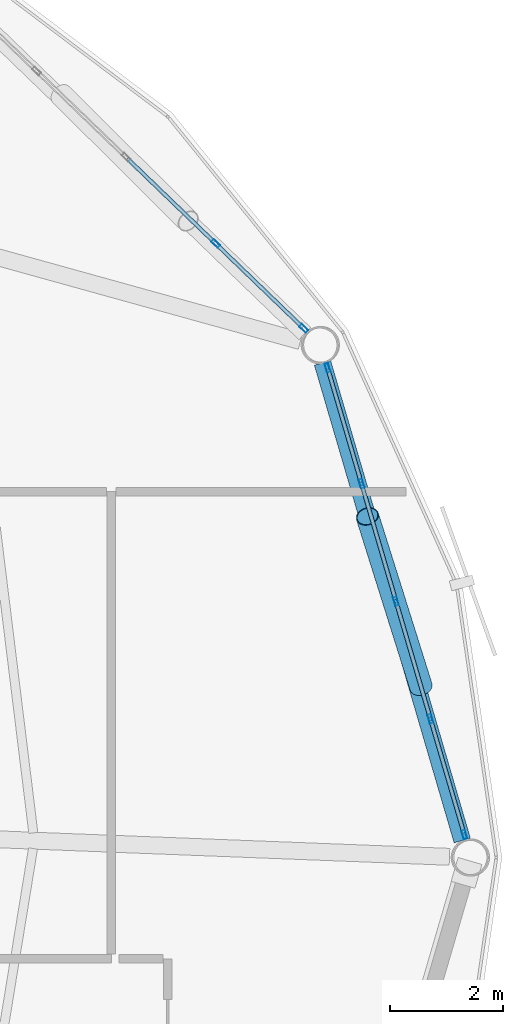
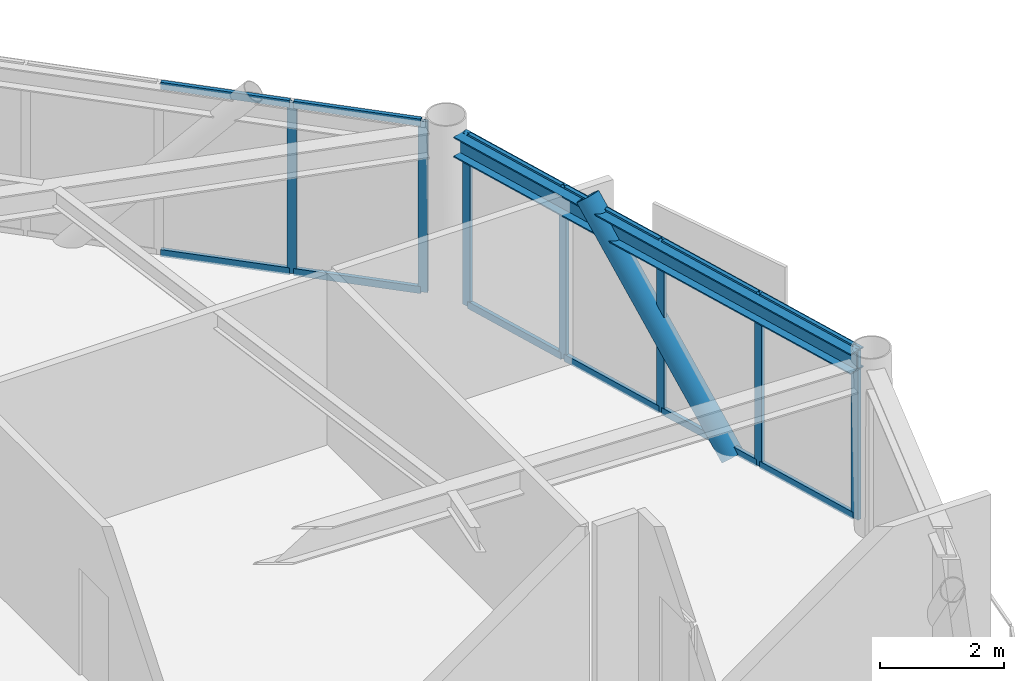
# One storey, part 15 of 26: 20 members, 1 beam, 2 elements without a shape of their own.
"""IFC4 building model written with IfcOpenShell, lengths in metres."""

from ifc_helpers import new_model, si_unit, direction, frame, origin, origin_2d, place, context, subcontext, project, spatial, hollow_rectangle, hollow_circle, i_section, extrude, material, layer, layer_set, material_profile, profile_set, type_object, element, aggregate, save


model = new_model("IFC4")

# Units and contexts
model_context = context("Model", 3, precision=1e-05, world=origin(), true_north=direction((0.0, 1.0)))
body_context = subcontext(model_context, "Body", "Model", "MODEL_VIEW")
ifc_project = project(units=[si_unit("LENGTHUNIT", "METRE"), si_unit("AREAUNIT", "SQUARE_METRE"), si_unit("VOLUMEUNIT", "CUBIC_METRE"), si_unit("PLANEANGLEUNIT", "RADIAN"), si_unit("MASSUNIT", "GRAM", prefix="KILO")], contexts=[model_context])

# Site, building, storey
site_placement = place(None, origin())
site = spatial("IfcSite", under=ifc_project, at=site_placement, CompositionType="ELEMENT")
building_placement = place(site_placement, origin())
building = spatial("IfcBuilding", under=site, at=building_placement, Name="Varnakorn Sky Granary", CompositionType="ELEMENT")
storey_placement = place(building_placement, frame((0.0, 0.0, 218.39990234375)))
storey = spatial("IfcBuildingStorey", under=building, at=storey_placement, Name="L55", CompositionType="ELEMENT", Elevation=218.39990234375)

# Beam
ifc_material_1 = material(Name="Steel S355JR", Category="steel")
ifc_material_profile_1 = material_profile(ifc_material_1, i_section(OverallWidth=0.300048828125, OverallDepth=0.39990234375, WebThickness=0.013427734375, FlangeThickness=0.02392578125, at=origin_2d()), Name="HE 400 B")
ifc_profile_set_1 = profile_set([ifc_material_profile_1], Name="Steel S355JR")
beam_type = type_object("IfcBeamType", Name="BM-SPD-Z4", PredefinedType="SPANDREL", material=ifc_profile_set_1)
beam_placement = place(storey_placement, frame((23.730712890625, 0.30224609375, 3.16015625), z_axis=(-0.280782706449, 0.959771364315, 0.0), x_axis=(-0.959771364315, -0.280782706449, 0.0)))
element("IfcBeam", 1, at=beam_placement, inside=storey, type_object=beam_type, Name="Perimeter Spandrel Ring Beam RB01 L55", PredefinedType="SPANDREL", context=body_context, shape_type="SweptSolid", body=[
    extrude(i_section(OverallWidth=0.300048828125, OverallDepth=0.39990234375, WebThickness=0.013427734375, FlangeThickness=0.02392578125, at=origin_2d()), origin(), (0.0, 0.0, 1.0), 8.83837890625),
])

# Curtain wall, members
ifc_material_2 = material(Name="Anodised Bronze Aluminium Alloy 6063-T6", Category="aluminium")
ifc_layer = layer(ifc_material_2, 0.169921875, Name="Anodised Bronze Aluminium Alloy 6063-T6")
ifc_layer_set = layer_set([ifc_layer], Name="Anodised Bronze Aluminium Alloy 6063-T6")
curtain_wall_type = type_object("IfcCurtainWallType", Name="CW-LAB-1", PredefinedType="USERDEFINED", material=ifc_layer_set)
curtain_wall_1_placement = place(storey_placement, origin())
curtain_wall_1 = element("IfcCurtainWall", 2, at=curtain_wall_1_placement, inside=storey, type_object=curtain_wall_type, Name="Unitised Curtain Wall CW5 CW-L55-B01", ObjectType="CURTAIN WALL", PredefinedType="USERDEFINED")
ifc_material_profile_2 = material_profile(ifc_material_2, hollow_rectangle(XDim=0.06494140625, YDim=0.159912109375, WallThickness=0.00341796875, at=origin_2d()), Name="ALU MULL 65x160")
ifc_profile_set_2 = profile_set([ifc_material_profile_2], Name="Anodised Bronze Aluminium Alloy 6063-T6")
member_type_1 = type_object("IfcMemberType", Name="CW-LAB-1-MULL", PredefinedType="MULLION", material=ifc_profile_set_2)
member_1_placement = place(storey_placement, frame((21.33837890625, 8.698974609375, 0.0), z_axis=(0.0, 0.0, 1.0), x_axis=(0.959663971781, 0.281149535416, 0.0)))
member_1 = element("IfcMember", 3, at=member_1_placement, type_object=member_type_1, Name="CW5 mullion 1", PredefinedType="MULLION", context=body_context, shape_type="SweptSolid", body=[
    extrude(hollow_rectangle(XDim=0.06494140625, YDim=0.159912109375, WallThickness=0.00341796875, at=origin_2d()), origin(), (0.0, 0.0, 1.0), 3.360107421875),
])
member_2_placement = place(storey_placement, frame((21.94140625, 6.64111328125, 0.0), z_axis=(0.0, 0.0, 1.0), x_axis=(0.959663971781, 0.281149535416, 0.0)))
member_2 = element("IfcMember", 4, at=member_2_placement, type_object=member_type_1, Name="CW5 mullion 2", PredefinedType="MULLION", context=body_context, shape_type="SweptSolid", body=[
    extrude(hollow_rectangle(XDim=0.06494140625, YDim=0.159912109375, WallThickness=0.00341796875, at=origin_2d()), origin(), (0.0, 0.0, 1.0), 3.360107421875),
])
member_3_placement = place(storey_placement, frame((22.55322265625, 4.55224609375, 0.0), z_axis=(0.0, 0.0, 1.0), x_axis=(0.959663971781, 0.281149535416, 0.0)))
member_3 = element("IfcMember", 5, at=member_3_placement, type_object=member_type_1, Name="CW5 mullion 3", PredefinedType="MULLION", context=body_context, shape_type="SweptSolid", body=[
    extrude(hollow_rectangle(XDim=0.06494140625, YDim=0.159912109375, WallThickness=0.00341796875, at=origin_2d()), origin(), (0.0, 0.0, 1.0), 3.360107421875),
])
member_4_placement = place(storey_placement, frame((23.165283203125, 2.46337890625, 0.0), z_axis=(0.0, 0.0, 1.0), x_axis=(0.959663971781, 0.281149535416, 0.0)))
member_4 = element("IfcMember", 6, at=member_4_placement, type_object=member_type_1, Name="CW5 mullion 4", PredefinedType="MULLION", context=body_context, shape_type="SweptSolid", body=[
    extrude(hollow_rectangle(XDim=0.06494140625, YDim=0.159912109375, WallThickness=0.00341796875, at=origin_2d()), origin(), (0.0, 0.0, 1.0), 3.360107421875),
])
member_5_placement = place(storey_placement, frame((23.76806640625, 0.405517578125, 0.0), z_axis=(0.0, 0.0, 1.0), x_axis=(0.959663971781, 0.281149535416, 0.0)))
member_5 = element("IfcMember", 7, at=member_5_placement, type_object=member_type_1, Name="CW5 mullion 5", PredefinedType="MULLION", context=body_context, shape_type="SweptSolid", body=[
    extrude(hollow_rectangle(XDim=0.06494140625, YDim=0.159912109375, WallThickness=0.00341796875, at=origin_2d()), origin(), (0.0, 0.0, 1.0), 3.360107421875),
])

curtain_wall_2_placement = place(storey_placement, origin())
curtain_wall_2 = element("IfcCurtainWall", 8, at=curtain_wall_2_placement, inside=storey, type_object=curtain_wall_type, Name="Unitised Curtain Wall CW5 CW-L55-B02", ObjectType="CURTAIN WALL", PredefinedType="USERDEFINED")
member_6_placement = place(storey_placement, frame((19.349609375, 10.906005859375, 0.0), z_axis=(0.0, 0.0, 1.0), x_axis=(0.693784930795, 0.72018224763, 0.0)))
member_6 = element("IfcMember", 9, at=member_6_placement, type_object=member_type_1, Name="CW5 mullion 4", PredefinedType="MULLION", context=body_context, shape_type="SweptSolid", body=[
    extrude(hollow_rectangle(XDim=0.06494140625, YDim=0.159912109375, WallThickness=0.00341796875, at=origin_2d()), origin(), (0.0, 0.0, 1.0), 3.360107421875),
])
member_7_placement = place(storey_placement, frame((20.915283203125, 9.397705078125, 0.0), z_axis=(0.0, 0.0, 1.0), x_axis=(0.693784930795, 0.72018224763, 0.0)))
member_7 = element("IfcMember", 10, at=member_7_placement, type_object=member_type_1, Name="CW5 mullion 5", PredefinedType="MULLION", context=body_context, shape_type="SweptSolid", body=[
    extrude(hollow_rectangle(XDim=0.06494140625, YDim=0.159912109375, WallThickness=0.00341796875, at=origin_2d()), origin(), (0.0, 0.0, 1.0), 3.360107421875),
])

# Member
ifc_material_profile_3 = material_profile(ifc_material_2, hollow_rectangle(XDim=0.070068359375, YDim=0.139892578125, WallThickness=0.00341796875, at=origin_2d()), Name="ALU TRAN 70x140")
ifc_profile_set_3 = profile_set([ifc_material_profile_3], Name="Anodised Bronze Aluminium Alloy 6063-T6")
member_type_2 = type_object("IfcMemberType", Name="CW-LAB-1-TRAN", PredefinedType="USERDEFINED", material=ifc_profile_set_3)
member_8_placement = place(storey_placement, frame((21.34765625, 8.667724609375, 0.03515625), z_axis=(0.28110450601, -0.959677162748, 0.0), x_axis=(0.959677162748, 0.28110450601, 0.0)))
member_8 = element("IfcMember", 11, at=member_8_placement, type_object=member_type_2, Name="CW5 transom 1.1", ObjectType="TRANSOM", PredefinedType="USERDEFINED", context=body_context, shape_type="SweptSolid", body=[
    extrude(hollow_rectangle(XDim=0.070068359375, YDim=0.139892578125, WallThickness=0.00341796875, at=origin_2d()), origin(), (0.0, 0.0, 1.0), 2.0791015625),
])

member_9_placement = place(storey_placement, frame((21.34765625, 8.667724609375, 3.3251953125), z_axis=(0.28110450601, -0.959677162748, 0.0), x_axis=(0.959677162748, 0.28110450601, 0.0)))
member_9 = element("IfcMember", 12, at=member_9_placement, type_object=member_type_2, Name="CW5 transom 1.2", ObjectType="TRANSOM", PredefinedType="USERDEFINED", context=body_context, shape_type="SweptSolid", body=[
    extrude(hollow_rectangle(XDim=0.070068359375, YDim=0.139892578125, WallThickness=0.00341796875, at=origin_2d()), origin(), (0.0, 0.0, 1.0), 2.0791015625),
])

member_10_placement = place(storey_placement, frame((21.950439453125, 6.610107421875, 0.03515625), z_axis=(0.281158464891, -0.959661355698, 0.0), x_axis=(0.959661355698, 0.281158464891, 0.0)))
member_10 = element("IfcMember", 13, at=member_10_placement, type_object=member_type_2, Name="CW5 transom 2.1", ObjectType="TRANSOM", PredefinedType="USERDEFINED", context=body_context, shape_type="SweptSolid", body=[
    extrude(hollow_rectangle(XDim=0.070068359375, YDim=0.139892578125, WallThickness=0.00341796875, at=origin_2d()), origin(), (0.0, 0.0, 1.0), 2.11181640625),
])

member_11_placement = place(storey_placement, frame((21.950439453125, 6.610107421875, 3.3251953125), z_axis=(0.281158464891, -0.959661355698, 0.0), x_axis=(0.959661355698, 0.281158464891, 0.0)))
member_11 = element("IfcMember", 14, at=member_11_placement, type_object=member_type_2, Name="CW5 transom 2.2", ObjectType="TRANSOM", PredefinedType="USERDEFINED", context=body_context, shape_type="SweptSolid", body=[
    extrude(hollow_rectangle(XDim=0.070068359375, YDim=0.139892578125, WallThickness=0.00341796875, at=origin_2d()), origin(), (0.0, 0.0, 1.0), 2.11181640625),
])

member_12_placement = place(storey_placement, frame((22.5625, 4.52099609375, 0.03515625), z_axis=(0.281158464891, -0.959661355698, 0.0), x_axis=(0.959661355698, 0.281158464891, 0.0)))
member_12 = element("IfcMember", 15, at=member_12_placement, type_object=member_type_2, Name="CW5 transom 3.1", ObjectType="TRANSOM", PredefinedType="USERDEFINED", context=body_context, shape_type="SweptSolid", body=[
    extrude(hollow_rectangle(XDim=0.070068359375, YDim=0.139892578125, WallThickness=0.00341796875, at=origin_2d()), origin(), (0.0, 0.0, 1.0), 2.11181640625),
])

member_13_placement = place(storey_placement, frame((22.5625, 4.52099609375, 3.3251953125), z_axis=(0.281158464891, -0.959661355698, 0.0), x_axis=(0.959661355698, 0.281158464891, 0.0)))
member_13 = element("IfcMember", 16, at=member_13_placement, type_object=member_type_2, Name="CW5 transom 3.2", ObjectType="TRANSOM", PredefinedType="USERDEFINED", context=body_context, shape_type="SweptSolid", body=[
    extrude(hollow_rectangle(XDim=0.070068359375, YDim=0.139892578125, WallThickness=0.00341796875, at=origin_2d()), origin(), (0.0, 0.0, 1.0), 2.11181640625),
])

member_14_placement = place(storey_placement, frame((23.17431640625, 2.43212890625, 0.03515625), z_axis=(0.281212642552, -0.959645481242, 0.0), x_axis=(0.959645481242, 0.281212642552, 0.0)))
member_14 = element("IfcMember", 17, at=member_14_placement, type_object=member_type_2, Name="CW5 transom 4.1", ObjectType="TRANSOM", PredefinedType="USERDEFINED", context=body_context, shape_type="SweptSolid", body=[
    extrude(hollow_rectangle(XDim=0.070068359375, YDim=0.139892578125, WallThickness=0.00341796875, at=origin_2d()), origin(), (0.0, 0.0, 1.0), 2.079345703125),
])

member_15_placement = place(storey_placement, frame((23.17431640625, 2.43212890625, 3.3251953125), z_axis=(0.281212642552, -0.959645481242, 0.0), x_axis=(0.959645481242, 0.281212642552, 0.0)))
member_15 = element("IfcMember", 18, at=member_15_placement, type_object=member_type_2, Name="CW5 transom 4.2", ObjectType="TRANSOM", PredefinedType="USERDEFINED", context=body_context, shape_type="SweptSolid", body=[
    extrude(hollow_rectangle(XDim=0.070068359375, YDim=0.139892578125, WallThickness=0.00341796875, at=origin_2d()), origin(), (0.0, 0.0, 1.0), 2.079345703125),
])

aggregate(curtain_wall_1, [member_1, member_2, member_3, member_4, member_5, member_8, member_9, member_10, member_11, member_12, member_13, member_14, member_15])

member_16_placement = place(storey_placement, frame((17.78369140625, 12.41455078125, 0.03515625), z_axis=(0.720206292146, -0.693759970561, 0.0), x_axis=(0.693759970561, 0.720206292146, 0.0)))
member_16 = element("IfcMember", 19, at=member_16_placement, type_object=member_type_2, Name="CW5 transom 3.1", ObjectType="TRANSOM", PredefinedType="USERDEFINED", context=body_context, shape_type="SweptSolid", body=[
    extrude(hollow_rectangle(XDim=0.070068359375, YDim=0.139892578125, WallThickness=0.00341796875, at=origin_2d()), origin(), (0.0, 0.0, 1.0), 2.1416015625),
])

member_17_placement = place(storey_placement, frame((17.78369140625, 12.41455078125, 3.3251953125), z_axis=(0.720206292146, -0.693759970561, 0.0), x_axis=(0.693759970561, 0.720206292146, 0.0)))
member_17 = element("IfcMember", 20, at=member_17_placement, type_object=member_type_2, Name="CW5 transom 3.2", ObjectType="TRANSOM", PredefinedType="USERDEFINED", context=body_context, shape_type="SweptSolid", body=[
    extrude(hollow_rectangle(XDim=0.070068359375, YDim=0.139892578125, WallThickness=0.00341796875, at=origin_2d()), origin(), (0.0, 0.0, 1.0), 2.1416015625),
])

member_18_placement = place(storey_placement, frame((19.372802734375, 10.883544921875, 0.03515625), z_axis=(0.72017883047, -0.693788477955, 0.0), x_axis=(0.693788477955, 0.72017883047, 0.0)))
member_18 = element("IfcMember", 21, at=member_18_placement, type_object=member_type_2, Name="CW5 transom 4.1", ObjectType="TRANSOM", PredefinedType="USERDEFINED", context=body_context, shape_type="SweptSolid", body=[
    extrude(hollow_rectangle(XDim=0.070068359375, YDim=0.139892578125, WallThickness=0.00341796875, at=origin_2d()), origin(), (0.0, 0.0, 1.0), 2.109375),
])

member_19_placement = place(storey_placement, frame((19.372802734375, 10.883544921875, 3.3251953125), z_axis=(0.72017883047, -0.693788477955, 0.0), x_axis=(0.693788477955, 0.72017883047, 0.0)))
member_19 = element("IfcMember", 22, at=member_19_placement, type_object=member_type_2, Name="CW5 transom 4.2", ObjectType="TRANSOM", PredefinedType="USERDEFINED", context=body_context, shape_type="SweptSolid", body=[
    extrude(hollow_rectangle(XDim=0.070068359375, YDim=0.139892578125, WallThickness=0.00341796875, at=origin_2d()), origin(), (0.0, 0.0, 1.0), 2.109375),
])

aggregate(curtain_wall_2, [member_6, member_7, member_16, member_17, member_18, member_19])

ifc_material_3 = material(Name="Steel S460M", Category="steel")
ifc_material_profile_4 = material_profile(ifc_material_3, hollow_circle(Radius=0.203125, WallThickness=0.01611328125, at=origin_2d()), Name="CHS 406.4x16")
ifc_profile_set_4 = profile_set([ifc_material_profile_4], Name="Steel S460M")
member_type_3 = type_object("IfcMemberType", Name="MB-DIAG-T4", PredefinedType="BRACE", material=ifc_profile_set_4)
member_20_placement = place(storey_placement, frame((22.997802734375, 3.034912109375, -0.1298828125), z_axis=(-0.197643328295, 0.628399224032, 0.752363961137), x_axis=(-0.953930114852, -0.300028891905, 0.0)))
element("IfcMember", 23, at=member_20_placement, inside=storey, type_object=member_type_3, Name="Perimeter CHS Diagrid Brace DG01 L55", PredefinedType="BRACE", context=body_context, shape_type="SweptSolid", body=[
    extrude(hollow_circle(Radius=0.203125, WallThickness=0.01611328125, at=origin_2d()), origin(), (0.0, 0.0, 1.0), 4.811279296875),
])

save(model, "model.ifc")
